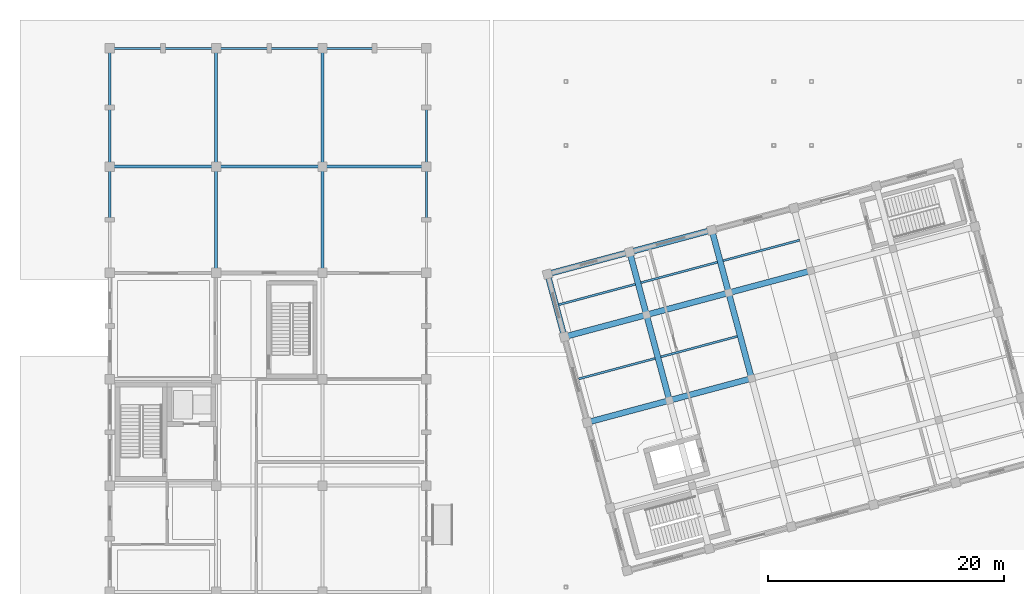
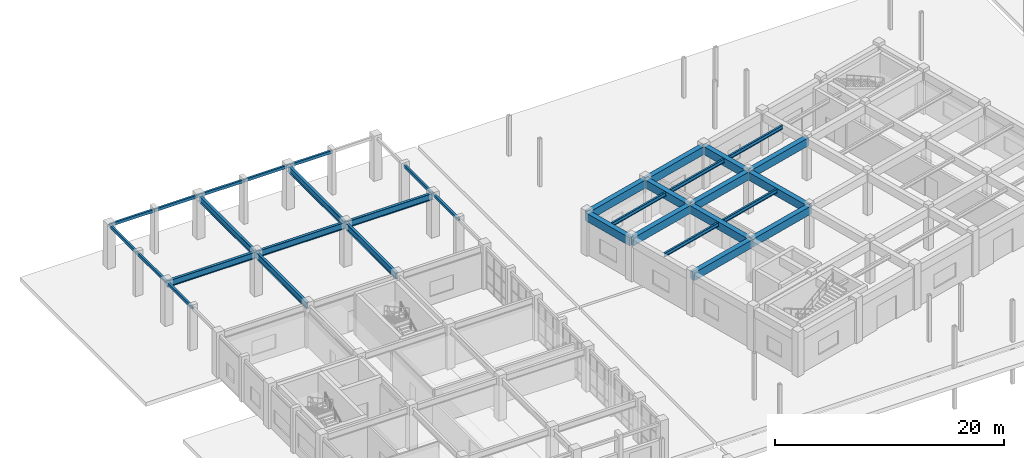
# One storey, part 22 of 47: 34 beams.
"""IFC4 building model written with IfcOpenShell, lengths in metres."""

from ifc_helpers import new_model, si_unit, direction, frame, origin, origin_2d, place, context, subcontext, project, spatial, rectangle, hollow_rectangle, i_section, extrude, material, material_profile, profile_set, type_object, element, save


model = new_model("IFC4")

# Units and contexts
model_context = context("Model", 3, precision=1e-05, world=origin(), true_north=direction((0.0, 1.0)))
body_context = subcontext(model_context, "Body", "Model", "MODEL_VIEW")
ifc_project = project(units=[si_unit("LENGTHUNIT", "METRE"), si_unit("AREAUNIT", "SQUARE_METRE"), si_unit("VOLUMEUNIT", "CUBIC_METRE"), si_unit("PLANEANGLEUNIT", "RADIAN"), si_unit("MASSUNIT", "GRAM", prefix="KILO")], contexts=[model_context])

# Site, building, storey
site_placement = place(None, origin())
site = spatial("IfcSite", under=ifc_project, at=site_placement, CompositionType="ELEMENT")
building_placement = place(site_placement, origin())
building = spatial("IfcBuilding", under=site, at=building_placement, Name="Ventoquebrada Cableway Terminal", CompositionType="ELEMENT")
storey_placement = place(building_placement, origin())
storey = spatial("IfcBuildingStorey", under=building, at=storey_placement, Name="L00", CompositionType="ELEMENT", Elevation=0.0)

# Beams
ifc_material_1 = material(Name="Concrete C40/50", Category="concrete")
ifc_material_profile_1 = material_profile(ifc_material_1, rectangle(XDim=0.5, YDim=0.85009765625, at=origin_2d()), Name="RC-BM-500X850")
ifc_profile_set_1 = profile_set([ifc_material_profile_1], Name="Concrete C40/50")
beam_type_1 = type_object("IfcBeamType", Name="BM-RC04", PredefinedType="BEAM", material=ifc_profile_set_1)
beam_1_placement = place(storey_placement, frame((46.672119140625, 89.5859375, 4.02490234375), z_axis=(-0.25877602824, 0.965937351596, 0.0), x_axis=(-0.965937351596, -0.25877602824, 0.0)))
element("IfcBeam", 1, at=beam_1_placement, inside=storey, type_object=beam_type_1, Name="Splayed station girder FBM-0957", PredefinedType="BEAM", context=body_context, shape_type="SweptSolid", body=[
    extrude(rectangle(XDim=0.5, YDim=0.85009765625, at=origin_2d()), origin(), (0.0, 0.0, 1.0), 5.499267578125),
])
beam_2_placement = place(storey_placement, frame((55.568115234375, 84.205078125, 4.02490234375), z_axis=(-0.258839684269, 0.965920295805, 0.0), x_axis=(-0.965920295805, -0.258839684269, 0.0)))
element("IfcBeam", 2, at=beam_2_placement, inside=storey, type_object=beam_type_1, Name="Splayed station girder FBM-0960", PredefinedType="BEAM", context=body_context, shape_type="SweptSolid", body=[
    extrude(rectangle(XDim=0.5, YDim=0.85009765625, at=origin_2d()), origin(), (0.0, 0.0, 1.0), 7.49951171875),
])
beam_3_placement = place(storey_placement, frame((53.626953125, 91.448974609375, 4.02490234375), z_axis=(-0.258897298886, 0.965904854853, 0.0), x_axis=(-0.965904854853, -0.258897298886, 0.0)))
element("IfcBeam", 3, at=beam_3_placement, inside=storey, type_object=beam_type_1, Name="Splayed station girder FBM-0961", PredefinedType="BEAM", context=body_context, shape_type="SweptSolid", body=[
    extrude(rectangle(XDim=0.5, YDim=0.85009765625, at=origin_2d()), origin(), (0.0, 0.0, 1.0), 5.50048828125),
])
beam_4_placement = place(storey_placement, frame((62.52294921875, 86.068115234375, 4.02490234375), z_axis=(-0.258776761059, 0.965937155273, 0.0), x_axis=(-0.965937155273, -0.258776761059, 0.0)))
element("IfcBeam", 4, at=beam_4_placement, inside=storey, type_object=beam_type_1, Name="Splayed station girder FBM-0964", PredefinedType="BEAM", context=body_context, shape_type="SweptSolid", body=[
    extrude(rectangle(XDim=0.5, YDim=0.85009765625, at=origin_2d()), origin(), (0.0, 0.0, 1.0), 7.500244140625),
])
beam_5_placement = place(storey_placement, frame((60.58203125, 93.31298828125, 4.02490234375), z_axis=(-0.258941703614, 0.965892951693, 0.0), x_axis=(-0.965892951693, -0.258941703614, 0.0)))
element("IfcBeam", 5, at=beam_5_placement, inside=storey, type_object=beam_type_1, Name="Splayed station girder FBM-0965", PredefinedType="BEAM", context=body_context, shape_type="SweptSolid", body=[
    extrude(rectangle(XDim=0.5, YDim=0.85009765625, at=origin_2d()), origin(), (0.0, 0.0, 1.0), 5.49951171875),
])
beam_6_placement = place(storey_placement, frame((48.613037109375, 82.341064453125, 4.02490234375), z_axis=(0.96591172503, 0.258871665986, 0.0), x_axis=(-0.258871665986, 0.96591172503, 0.0)))
element("IfcBeam", 6, at=beam_6_placement, inside=storey, type_object=beam_type_1, Name="Splayed station girder FBM-0988", PredefinedType="BEAM", context=body_context, shape_type="SweptSolid", body=[
    extrude(rectangle(XDim=0.5, YDim=0.85009765625, at=origin_2d()), origin(), (0.0, 0.0, 1.0), 7.200439453125),
])
for number, where, z_axis, x_axis, name in (
    (7, (55.568115234375, 84.205078125, 4.02490234375), (0.965943360086, 0.258753599214, 0.0), (-0.258753599214, 0.965943360086, 0.0), "Splayed station girder FBM-0989"),
    (8, (46.672119140625, 89.5859375, 4.02490234375), (0.965943360086, 0.258753599214, 0.0), (-0.258753599214, 0.965943360086, 0.0), "Splayed station girder FBM-0993"),
):
    element("IfcBeam", number, at=place(storey_placement, frame(where, z_axis=z_axis, x_axis=x_axis)), inside=storey, type_object=beam_type_1, Name=name, PredefinedType="BEAM", context=body_context, shape_type="SweptSolid", body=[
        extrude(rectangle(XDim=0.5, YDim=0.85009765625, at=origin_2d()), origin(), (0.0, 0.0, 1.0), 7.199951171875),
    ])
beam_7_placement = place(storey_placement, frame((53.626953125, 91.448974609375, 4.02490234375), z_axis=(0.96591172503, 0.258871665986, 0.0), x_axis=(-0.258871665986, 0.96591172503, 0.0)))
element("IfcBeam", 9, at=beam_7_placement, inside=storey, type_object=beam_type_1, Name="Splayed station girder FBM-0994", PredefinedType="BEAM", context=body_context, shape_type="SweptSolid", body=[
    extrude(rectangle(XDim=0.5, YDim=0.85009765625, at=origin_2d()), origin(), (0.0, 0.0, 1.0), 7.200439453125),
])
beam_8_placement = place(storey_placement, frame((60.58203125, 93.31298828125, 4.02490234375), z_axis=(0.965934277216, 0.258787503754, 0.0), x_axis=(-0.258787503754, 0.965934277216, 0.0)))
element("IfcBeam", 10, at=beam_8_placement, inside=storey, type_object=beam_type_1, Name="Splayed station girder FBM-0995", PredefinedType="BEAM", context=body_context, shape_type="SweptSolid", body=[
    extrude(rectangle(XDim=0.5, YDim=0.85009765625, at=origin_2d()), origin(), (0.0, 0.0, 1.0), 7.19921875),
])
beam_9_placement = place(storey_placement, frame((45.2490234375, 94.89794921875, 4.02490234375), z_axis=(0.965900361292, 0.258914063071, 0.0), x_axis=(-0.258914063071, 0.965900361292, 0.0)))
element("IfcBeam", 11, at=beam_9_placement, inside=storey, type_object=beam_type_1, Name="Splayed station girder FBM-0998", PredefinedType="BEAM", context=body_context, shape_type="SweptSolid", body=[
    extrude(rectangle(XDim=0.5, YDim=0.85009765625, at=origin_2d()), origin(), (0.0, 0.0, 1.0), 7.199462890625),
])
beam_10_placement = place(storey_placement, frame((52.202880859375, 96.761962890625, 4.02490234375), z_axis=(0.965945630245, 0.258745124417, 0.0), x_axis=(-0.258745124417, 0.965945630245, 0.0)))
element("IfcBeam", 12, at=beam_10_placement, inside=storey, type_object=beam_type_1, Name="Splayed station girder FBM-0999", PredefinedType="BEAM", context=body_context, shape_type="SweptSolid", body=[
    extrude(rectangle(XDim=0.5, YDim=0.85009765625, at=origin_2d()), origin(), (0.0, 0.0, 1.0), 7.2001953125),
])
ifc_material_2 = material(Name="Steel ASTM A992 Grade 50", Category="steel")
ifc_material_profile_2 = material_profile(ifc_material_2, i_section(OverallWidth=0.25390625, OverallDepth=0.68798828125, WebThickness=0.01318359375, FlangeThickness=0.02099609375, at=origin_2d()), Name="W27X102")
ifc_profile_set_2 = profile_set([ifc_material_profile_2], Name="Steel ASTM A992 Grade 50")
beam_type_2 = type_object("IfcBeamType", Name="BM-ST04", PredefinedType="BEAM", material=ifc_profile_set_2)
for number, where, z_axis, x_axis, name in (
    (13, (8.199951171875, 104.0, 4.18603515625), (1.0, 0.0, 0.0), (0.0, 1.0, 0.0), "Primary frame girder FBM-0334"),
    (14, (17.199951171875, 104.0, 4.18603515625), (1.0, 0.0, 0.0), (0.0, 1.0, 0.0), "Primary frame girder FBM-0335"),
):
    element("IfcBeam", number, at=place(storey_placement, frame(where, z_axis=z_axis, x_axis=x_axis)), inside=storey, type_object=beam_type_2, Name=name, PredefinedType="BEAM", context=body_context, shape_type="SweptSolid", body=[
        extrude(i_section(OverallWidth=0.25390625, OverallDepth=0.68798828125, WebThickness=0.01318359375, FlangeThickness=0.02099609375, at=origin_2d()), origin(), (0.0, 0.0, 1.0), 9.0),
    ])
beam_11_placement = place(storey_placement, frame((26.199951171875, 104.0, 4.18603515625), z_axis=(1.0, 0.0, 0.0), x_axis=(0.0, 1.0, 0.0)))
element("IfcBeam", 15, at=beam_11_placement, inside=storey, type_object=beam_type_2, Name="Primary frame girder FBM-0336", PredefinedType="BEAM", context=body_context, shape_type="SweptSolid", body=[
    extrude(i_section(OverallWidth=0.25390625, OverallDepth=0.68798828125, WebThickness=0.01318359375, FlangeThickness=0.02099609375, at=origin_2d()), origin(), (0.0, 0.0, 1.0), 8.800048828125),
])
beam_12_placement = place(storey_placement, frame((17.199951171875, 95.0, 4.18603515625), z_axis=(0.0, 1.0, 0.0), x_axis=(-1.0, 0.0, 0.0)))
element("IfcBeam", 16, at=beam_12_placement, inside=storey, type_object=beam_type_2, Name="Primary frame girder FBM-0358", PredefinedType="BEAM", context=body_context, shape_type="SweptSolid", body=[
    extrude(i_section(OverallWidth=0.25390625, OverallDepth=0.68798828125, WebThickness=0.01318359375, FlangeThickness=0.02099609375, at=origin_2d()), origin(), (0.0, 0.0, 1.0), 9.0),
])
beam_13_placement = place(storey_placement, frame((17.199951171875, 104.0, 4.18603515625), z_axis=(0.0, 1.0, 0.0), x_axis=(-1.0, 0.0, 0.0)))
element("IfcBeam", 17, at=beam_13_placement, inside=storey, type_object=beam_type_2, Name="Primary frame girder FBM-0359", PredefinedType="BEAM", context=body_context, shape_type="SweptSolid", body=[
    extrude(i_section(OverallWidth=0.25390625, OverallDepth=0.68798828125, WebThickness=0.01318359375, FlangeThickness=0.02099609375, at=origin_2d()), origin(), (0.0, 0.0, 1.0), 10.0),
])
beam_14_placement = place(storey_placement, frame((26.199951171875, 95.0, 4.18603515625), z_axis=(0.0, 1.0, 0.0), x_axis=(-1.0, 0.0, 0.0)))
element("IfcBeam", 18, at=beam_14_placement, inside=storey, type_object=beam_type_2, Name="Primary frame girder FBM-0364", PredefinedType="BEAM", context=body_context, shape_type="SweptSolid", body=[
    extrude(i_section(OverallWidth=0.25390625, OverallDepth=0.68798828125, WebThickness=0.01318359375, FlangeThickness=0.02099609375, at=origin_2d()), origin(), (0.0, 0.0, 1.0), 9.0),
])
beam_15_placement = place(storey_placement, frame((26.199951171875, 104.0, 4.18603515625), z_axis=(0.0, 1.0, 0.0), x_axis=(-1.0, 0.0, 0.0)))
element("IfcBeam", 19, at=beam_15_placement, inside=storey, type_object=beam_type_2, Name="Primary frame girder FBM-0365", PredefinedType="BEAM", context=body_context, shape_type="SweptSolid", body=[
    extrude(i_section(OverallWidth=0.25390625, OverallDepth=0.68798828125, WebThickness=0.01318359375, FlangeThickness=0.02099609375, at=origin_2d()), origin(), (0.0, 0.0, 1.0), 10.0),
])
ifc_material_profile_3 = material_profile(ifc_material_2, i_section(OverallWidth=0.177978515625, OverallDepth=0.406005859375, WebThickness=0.0078125, FlangeThickness=0.0126953125, at=origin_2d()), Name="W16X40")
ifc_profile_set_3 = profile_set([ifc_material_profile_3], Name="Steel ASTM A992 Grade 50")
beam_type_3 = type_object("IfcBeamType", Name="JST-ST06", PredefinedType="JOIST", material=ifc_profile_set_3)
beam_16_placement = place(storey_placement, frame((47.884033203125, 86.028076171875, 4.2470703125), z_axis=(0.965935528529, 0.258782833136, 0.0), x_axis=(-0.258782833136, 0.965935528529, 0.0)))
element("IfcBeam", 20, at=beam_16_placement, inside=storey, type_object=beam_type_3, Name="Splayed deck joist FBM-1003", PredefinedType="JOIST", context=body_context, shape_type="SweptSolid", body=[
    extrude(i_section(OverallWidth=0.177978515625, OverallDepth=0.406005859375, WebThickness=0.0078125, FlangeThickness=0.0126953125, at=origin_2d()), origin(), (0.0, 0.0, 1.0), 6.7001953125),
])
beam_17_placement = place(storey_placement, frame((46.201904296875, 92.306884765625, 4.2470703125), z_axis=(0.965928860385, 0.258807721438, 0.0), x_axis=(-0.258807721438, 0.965928860385, 0.0)))
element("IfcBeam", 21, at=beam_17_placement, inside=storey, type_object=beam_type_3, Name="Splayed deck joist FBM-1004", PredefinedType="JOIST", context=body_context, shape_type="SweptSolid", body=[
    extrude(i_section(OverallWidth=0.177978515625, OverallDepth=0.406005859375, WebThickness=0.0078125, FlangeThickness=0.0126953125, at=origin_2d()), origin(), (0.0, 0.0, 1.0), 6.700439453125),
])
beam_18_placement = place(storey_placement, frame((54.839111328125, 87.89208984375, 4.2470703125), z_axis=(0.965935528529, 0.258782833136, 0.0), x_axis=(-0.258782833136, 0.965935528529, 0.0)))
element("IfcBeam", 22, at=beam_18_placement, inside=storey, type_object=beam_type_3, Name="Splayed deck joist FBM-1006", PredefinedType="JOIST", context=body_context, shape_type="SweptSolid", body=[
    extrude(i_section(OverallWidth=0.177978515625, OverallDepth=0.406005859375, WebThickness=0.0078125, FlangeThickness=0.0126953125, at=origin_2d()), origin(), (0.0, 0.0, 1.0), 6.7001953125),
])
beam_19_placement = place(storey_placement, frame((53.156982421875, 94.169921875, 4.2470703125), z_axis=(0.965916654352, 0.258853272811, 0.0), x_axis=(-0.258853272811, 0.965916654352, 0.0)))
element("IfcBeam", 23, at=beam_19_placement, inside=storey, type_object=beam_type_3, Name="Splayed deck joist FBM-1007", PredefinedType="JOIST", context=body_context, shape_type="SweptSolid", body=[
    extrude(i_section(OverallWidth=0.177978515625, OverallDepth=0.406005859375, WebThickness=0.0078125, FlangeThickness=0.0126953125, at=origin_2d()), origin(), (0.0, 0.0, 1.0), 6.69921875),
])
beam_20_placement = place(storey_placement, frame((60.111083984375, 96.033935546875, 4.2470703125), z_axis=(0.965926419694, 0.258816830476, 0.0), x_axis=(-0.258816830476, 0.965926419694, 0.0)))
element("IfcBeam", 24, at=beam_20_placement, inside=storey, type_object=beam_type_3, Name="Splayed deck joist FBM-1009", PredefinedType="JOIST", context=body_context, shape_type="SweptSolid", body=[
    extrude(i_section(OverallWidth=0.177978515625, OverallDepth=0.406005859375, WebThickness=0.0078125, FlangeThickness=0.0126953125, at=origin_2d()), origin(), (0.0, 0.0, 1.0), 6.7001953125),
])
ifc_material_3 = material(Name="Steel ASTM A500 Grade C", Category="steel")
ifc_material_profile_4 = material_profile(ifc_material_3, hollow_rectangle(XDim=0.199951171875, YDim=0.300048828125, WallThickness=0.012451171875, at=origin_2d()), Name="RHS300X200X12.5")
ifc_profile_set_4 = profile_set([ifc_material_profile_4], Name="Steel ASTM A500 Grade C")
beam_type_4 = type_object("IfcBeamType", Name="SP-ST02", PredefinedType="SPANDREL", material=ifc_profile_set_4)
for number, where, z_axis, x_axis, name in (
    (25, (8.199951171875, 114.0, 4.3798828125), (1.0, 0.0, 0.0), (0.0, 1.0, 0.0), "Perimeter spandrel beam FBM-0337"),
    (26, (12.699951171875, 114.0, 4.3798828125), (1.0, 0.0, 0.0), (0.0, 1.0, 0.0), "Perimeter spandrel beam FBM-0338"),
    (27, (17.199951171875, 114.0, 4.3798828125), (1.0, 0.0, 0.0), (0.0, 1.0, 0.0), "Perimeter spandrel beam FBM-0339"),
    (28, (21.699951171875, 114.0, 4.3798828125), (1.0, 0.0, 0.0), (0.0, 1.0, 0.0), "Perimeter spandrel beam FBM-0340"),
):
    element("IfcBeam", number, at=place(storey_placement, frame(where, z_axis=z_axis, x_axis=x_axis)), inside=storey, type_object=beam_type_4, Name=name, PredefinedType="SPANDREL", context=body_context, shape_type="SweptSolid", body=[
        extrude(hollow_rectangle(XDim=0.199951171875, YDim=0.300048828125, WallThickness=0.012451171875, at=origin_2d()), origin(), (0.0, 0.0, 1.0), 4.5),
    ])
beam_21_placement = place(storey_placement, frame((26.199951171875, 114.0, 4.3798828125), z_axis=(1.0, 0.0, 0.0), x_axis=(0.0, 1.0, 0.0)))
element("IfcBeam", 29, at=beam_21_placement, inside=storey, type_object=beam_type_4, Name="Perimeter spandrel beam FBM-0341", PredefinedType="SPANDREL", context=body_context, shape_type="SweptSolid", body=[
    extrude(hollow_rectangle(XDim=0.199951171875, YDim=0.300048828125, WallThickness=0.012451171875, at=origin_2d()), origin(), (0.0, 0.0, 1.0), 4.400146484375),
])
beam_22_placement = place(storey_placement, frame((8.199951171875, 99.5, 4.3798828125), z_axis=(0.0, 1.0, 0.0), x_axis=(-1.0, 0.0, 0.0)))
element("IfcBeam", 30, at=beam_22_placement, inside=storey, type_object=beam_type_4, Name="Perimeter spandrel beam FBM-0351", PredefinedType="SPANDREL", context=body_context, shape_type="SweptSolid", body=[
    extrude(hollow_rectangle(XDim=0.199951171875, YDim=0.300048828125, WallThickness=0.012451171875, at=origin_2d()), origin(), (0.0, 0.0, 1.0), 4.5),
])
for number, where, z_axis, x_axis, name in (
    (31, (8.199951171875, 104.0, 4.3798828125), (0.0, 1.0, 0.0), (-1.0, 0.0, 0.0), "Perimeter spandrel beam FBM-0352"),
    (32, (8.199951171875, 109.0, 4.3798828125), (0.0, 1.0, 0.0), (-1.0, 0.0, 0.0), "Perimeter spandrel beam FBM-0353"),
):
    element("IfcBeam", number, at=place(storey_placement, frame(where, z_axis=z_axis, x_axis=x_axis)), inside=storey, type_object=beam_type_4, Name=name, PredefinedType="SPANDREL", context=body_context, shape_type="SweptSolid", body=[
        extrude(hollow_rectangle(XDim=0.199951171875, YDim=0.300048828125, WallThickness=0.012451171875, at=origin_2d()), origin(), (0.0, 0.0, 1.0), 5.0),
    ])
beam_23_placement = place(storey_placement, frame((35.0, 99.5, 4.3798828125), z_axis=(0.0, 1.0, 0.0), x_axis=(-1.0, 0.0, 0.0)))
element("IfcBeam", 33, at=beam_23_placement, inside=storey, type_object=beam_type_4, Name="Perimeter spandrel beam FBM-0374", PredefinedType="SPANDREL", context=body_context, shape_type="SweptSolid", body=[
    extrude(hollow_rectangle(XDim=0.199951171875, YDim=0.300048828125, WallThickness=0.012451171875, at=origin_2d()), origin(), (0.0, 0.0, 1.0), 4.5),
])
beam_24_placement = place(storey_placement, frame((35.0, 104.0, 4.3798828125), z_axis=(0.0, 1.0, 0.0), x_axis=(-1.0, 0.0, 0.0)))
element("IfcBeam", 34, at=beam_24_placement, inside=storey, type_object=beam_type_4, Name="Perimeter spandrel beam FBM-0375", PredefinedType="SPANDREL", context=body_context, shape_type="SweptSolid", body=[
    extrude(hollow_rectangle(XDim=0.199951171875, YDim=0.300048828125, WallThickness=0.012451171875, at=origin_2d()), origin(), (0.0, 0.0, 1.0), 5.0),
])

save(model, "model.ifc")
